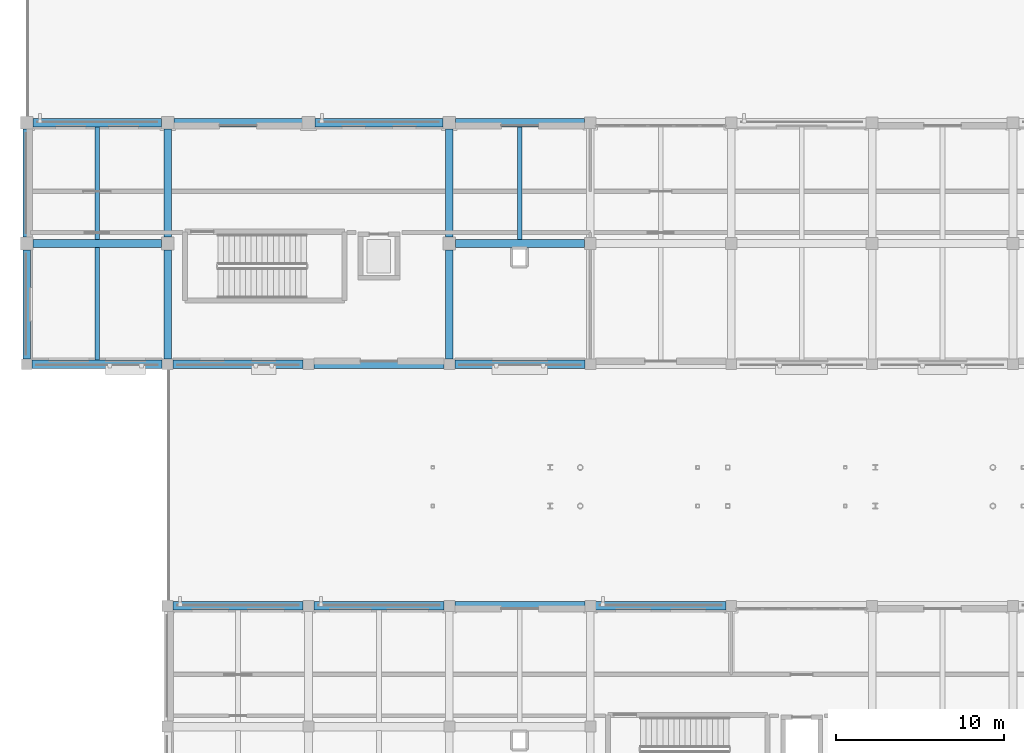
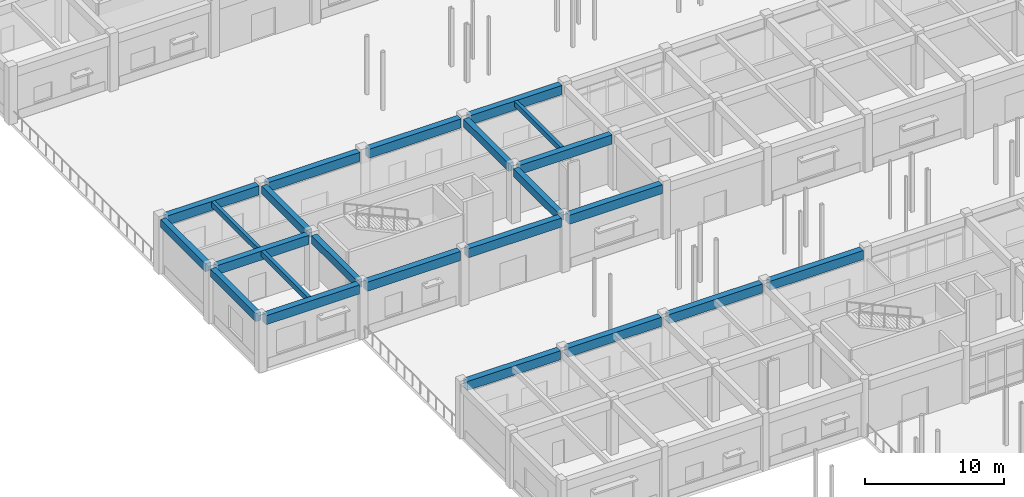
# One storey, part 44 of 121: 23 beams.
"""IFC4 building model written with IfcOpenShell, lengths in metres."""

import ifcopenshell
import ifcopenshell.guid

model = None  # the IFC model being written
_history = None  # IfcOwnerHistory: only IFC2X3 demands one
_inside = {}  # id of a spatial element -> (the spatial element, [elements in it])
_under = {}  # id of a project, library or spatial element -> (it, [spatial elements below it])
_declared = {}  # id of a project -> (the project, [libraries it declares])
_typed = {}  # id of a type object -> (the type object, [elements of that type])
_made_of = {}  # id of a material, layer set ... -> (it, [elements and type objects made of it])


def new_model(schema):
    """Start an empty IFC model of exactly this schema.

    Asked for "IFC4X3", IfcOpenShell would pick the latest addendum, in which some entities
    have other attributes; the version numbers below select the first issue.
    IFC2X3 requires an IfcOwnerHistory on every rooted entity: one is made here for all.
    """
    global model, _history
    if schema == "IFC4X3":
        model = ifcopenshell.file(schema_version=(4, 3, 0, 0))
    else:
        model = ifcopenshell.file(schema=schema)
    _inside.clear()
    _under.clear()
    _declared.clear()
    _typed.clear()
    _made_of.clear()
    _history = None
    if model.schema == "IFC2X3":
        org = make("IfcOrganization", Name="unknown")
        user = make(
            "IfcPersonAndOrganization",
            ThePerson=make("IfcPerson", FamilyName="unknown"),
            TheOrganization=org,
        )
        app = make(
            "IfcApplication",
            ApplicationDeveloper=org,
            Version="unknown",
            ApplicationFullName="unknown",
            ApplicationIdentifier="unknown",
        )
        _history = make(
            "IfcOwnerHistory",
            OwningUser=user,
            OwningApplication=app,
            ChangeAction="ADDED",
            CreationDate=0,
        )
    return model


def make(cls, **values):
    """One entity of the class cls with the attributes given. An attribute that is None is left unset."""
    return model.create_entity(
        cls, **{name: value for name, value in values.items() if value is not None}
    )


def rooted(cls, **values):
    """An entity with a GlobalId (a new one), such as an element, a storey or a relation."""
    return make(cls, GlobalId=ifcopenshell.guid.new(), OwnerHistory=_history, **values)


def si_unit(unit_type, name, prefix=None):
    """IfcSIUnit, for example si_unit("LENGTHUNIT", "METRE", prefix="MILLI")."""
    return make("IfcSIUnit", UnitType=unit_type, Prefix=prefix, Name=name)


def assignment(units):
    """IfcUnitAssignment: the units of a project."""
    return None if units is None else make("IfcUnitAssignment", Units=units)


def point(xyz):
    """IfcCartesianPoint."""
    return None if xyz is None else make("IfcCartesianPoint", Coordinates=xyz)


def direction(xyz):
    """IfcDirection."""
    return None if xyz is None else make("IfcDirection", DirectionRatios=xyz)


def frame(location, z_axis=None, x_axis=None):
    """IfcAxis2Placement3D, a coordinate frame: its origin and axes. An axis left out is left unset."""
    return make(
        "IfcAxis2Placement3D",
        Location=point(location),
        Axis=direction(z_axis),
        RefDirection=direction(x_axis),
    )


def frame_2d(location, x_axis=None):
    """IfcAxis2Placement2D, a coordinate frame in the plane: its origin and x axis."""
    return make(
        "IfcAxis2Placement2D", Location=point(location), RefDirection=direction(x_axis)
    )


def origin():
    """The frame at (0, 0, 0) with its axes left unset."""
    return frame((0.0, 0.0, 0.0))


def origin_2d():
    """The frame at (0, 0) in the plane with its x axis left unset."""
    return frame_2d((0.0, 0.0))


def place(relative_to, where):
    """IfcLocalPlacement: puts the frame where relative to a parent placement (None: the world)."""
    return make(
        "IfcLocalPlacement", PlacementRelTo=relative_to, RelativePlacement=where
    )


def context(
    kind, dimensions, precision=None, world=None, true_north=None, identifier=None
):
    """IfcGeometricRepresentationContext, for example the 3D "Model" context."""
    return make(
        "IfcGeometricRepresentationContext",
        ContextIdentifier=identifier,
        ContextType=kind,
        CoordinateSpaceDimension=dimensions,
        Precision=precision,
        WorldCoordinateSystem=world,
        TrueNorth=true_north,
    )


def subcontext(parent, identifier, kind, view, scale=None):
    """IfcGeometricRepresentationSubContext, for example "Body" below "Model"."""
    return make(
        "IfcGeometricRepresentationSubContext",
        ContextIdentifier=identifier,
        ContextType=kind,
        ParentContext=parent,
        TargetScale=scale,
        TargetView=view,
    )


def project(units=None, contexts=None):
    """IfcProject with its units and contexts."""
    return rooted(
        "IfcProject",
        Name="project",
        RepresentationContexts=contexts,
        UnitsInContext=assignment(units),
    )


def spatial(cls, under=None, at=None, **own):
    """A site, building, storey or space (cls), placed at a placement, below another one or the project."""
    s = rooted(cls, ObjectPlacement=at, **own)
    if under is not None:
        _under.setdefault(under.id(), (under, []))[1].append(s)
    return s


def profile(cls, at=None, kind="AREA", **sizes):
    """A parametric profile (cls). Its sizes go by their IFC names, for example OverallWidth=200.0."""
    return make(cls, ProfileType=kind, Position=at, **sizes)


def rectangle(**sizes):
    """IfcRectangleProfileDef."""
    return profile("IfcRectangleProfileDef", **sizes)


def extrude(swept, where, along, depth):
    """IfcExtrudedAreaSolid: the profile swept, set in the frame where, extruded along a direction by depth."""
    return make(
        "IfcExtrudedAreaSolid",
        SweptArea=swept,
        Position=where,
        ExtrudedDirection=direction(along),
        Depth=depth,
    )


def shape(context_of_items, identifier, shape_type, items):
    """IfcShapeRepresentation: the items that make up one representation, for example the "Body"."""
    return make(
        "IfcShapeRepresentation",
        ContextOfItems=context_of_items,
        RepresentationIdentifier=identifier,
        RepresentationType=shape_type,
        Items=items,
    )


def material(Name=None, Category=None):
    """IfcMaterial."""
    return make("IfcMaterial", Name=Name, Category=Category)


def material_profile(
    of_material, cross_section, Name=None, Category=None, Priority=None
):
    """IfcMaterialProfile: a cross section and its material."""
    return make(
        "IfcMaterialProfile",
        Name=Name,
        Material=of_material,
        Profile=cross_section,
        Priority=Priority,
        Category=Category,
    )


def profile_set(profiles, Name=None, composite=None):
    """IfcMaterialProfileSet."""
    return make(
        "IfcMaterialProfileSet",
        Name=Name,
        MaterialProfiles=profiles,
        CompositeProfile=composite,
    )


def made_of(thing, what):
    """Note that an element or type object is made of a material, layer set ...; save() writes the relation."""
    if what is not None:
        _made_of.setdefault(what.id(), (what, []))[1].append(thing)
    return thing


def type_object(cls, material=None, **own):
    """A type object (cls), such as IfcWallType, which elements share."""
    return made_of(rooted(cls, **own), material)


def element(
    cls,
    number,
    at=None,
    inside=None,
    cuts=None,
    type_object=None,
    material=None,
    context=None,
    identifier="Body",
    shape_type=None,
    held_by="IfcProductDefinitionShape",
    body=None,
    shapes=None,
    **own,
):
    """One element of the class cls, such as IfcWall. Its Tag is "e" and its number.

    at: its placement. inside: the storey or other place that contains it. cuts: it is an
    opening in that element (IfcRelVoidsElement). A single representation is given by context,
    identifier, shape_type and body (its items); several are given by shapes. held_by: the class
    of the entity that holds the representations. save() writes the other relations.
    """
    e = rooted(cls, Tag="e%d" % number, ObjectPlacement=at, **own)
    if body is not None:
        shapes = [shape(context, identifier, shape_type, body)]
    if shapes is not None:
        e.Representation = make(held_by, Representations=shapes)
    if inside is not None:
        _inside.setdefault(inside.id(), (inside, []))[1].append(e)
    if cuts is not None:
        rooted(
            "IfcRelVoidsElement", RelatingBuildingElement=cuts, RelatedOpeningElement=e
        )
    if type_object is not None:
        _typed.setdefault(type_object.id(), (type_object, []))[1].append(e)
    return made_of(e, material)


def aggregate(whole, parts):
    """IfcRelAggregates: a whole, such as a stair, and the parts it consists of."""
    return rooted("IfcRelAggregates", RelatingObject=whole, RelatedObjects=parts)


def save(model, path):
    """Write the relations noted so far, then the file.

    IfcRelAggregates (storeys below a building ...), IfcRelContainedInSpatialStructure (elements
    in a storey), IfcRelDefinesByType, IfcRelAssociatesMaterial and IfcRelDeclares: one each for
    every whole, place, type object, material and project.
    """
    for whole, parts in _under.values():
        aggregate(whole, parts)
    for where, things in _inside.values():
        rooted(
            "IfcRelContainedInSpatialStructure",
            RelatedElements=things,
            RelatingStructure=where,
        )
    for kind, things in _typed.values():
        rooted("IfcRelDefinesByType", RelatedObjects=things, RelatingType=kind)
    for what, things in _made_of.values():
        rooted("IfcRelAssociatesMaterial", RelatedObjects=things, RelatingMaterial=what)
    for by, libraries in _declared.values():
        rooted("IfcRelDeclares", RelatingContext=by, RelatedDefinitions=libraries)
    model.write(path)


model = new_model("IFC4")

# Units and contexts
model_context = context("Model", 3, precision=1e-05, world=origin(), true_north=direction((0.0, 1.0)))
body_context = subcontext(model_context, "Body", "Model", "MODEL_VIEW")
ifc_project = project(units=[si_unit("LENGTHUNIT", "METRE"), si_unit("AREAUNIT", "SQUARE_METRE"), si_unit("VOLUMEUNIT", "CUBIC_METRE"), si_unit("PLANEANGLEUNIT", "RADIAN"), si_unit("MASSUNIT", "GRAM", prefix="KILO")], contexts=[model_context])

# Site, building, storey
site_placement = place(None, origin())
site = spatial("IfcSite", under=ifc_project, at=site_placement, CompositionType="ELEMENT")
building_placement = place(site_placement, origin())
building = spatial("IfcBuilding", under=site, at=building_placement, Name="Malvenik Polytechnic", CompositionType="ELEMENT")
storey_placement = place(building_placement, origin())
storey = spatial("IfcBuildingStorey", under=building, at=storey_placement, Name="L00", CompositionType="ELEMENT", Elevation=0.0)

# Beams
ifc_material_1 = material(Name="Concrete C35/45", Category="concrete")
ifc_material_profile_1 = material_profile(ifc_material_1, rectangle(XDim=0.5, YDim=0.800048828125, at=origin_2d()), Name="RC BM 500x800")
ifc_profile_set_1 = profile_set([ifc_material_profile_1], Name="Concrete C35/45")
beam_type_1 = type_object("IfcBeamType", Name="STR-BM-B-02", PredefinedType="BEAM", material=ifc_profile_set_1)
beam_1_placement = place(storey_placement, frame((0.373046875, 86.39990234375, 4.419921875), z_axis=(1.0, 0.0, 0.0), x_axis=(0.0, 1.0, 0.0)))
element("IfcBeam", 1, at=beam_1_placement, inside=storey, type_object=beam_type_1, Name="Primary Beam B-02 L00 #628", PredefinedType="BEAM", context=body_context, shape_type="SweptSolid", body=[
    extrude(rectangle(XDim=0.5, YDim=0.800048828125, at=origin_2d()), origin(), (0.0, 0.0, 1.0), 7.654052734375),
])
beam_2_placement = place(storey_placement, frame((25.572998046875, 86.39990234375, 4.419921875), z_axis=(1.0, 0.0, 0.0), x_axis=(0.0, 1.0, 0.0)))
element("IfcBeam", 2, at=beam_2_placement, inside=storey, type_object=beam_type_1, Name="Primary Beam B-02 L00 #629", PredefinedType="BEAM", context=body_context, shape_type="SweptSolid", body=[
    extrude(rectangle(XDim=0.5, YDim=0.800048828125, at=origin_2d()), origin(), (0.0, 0.0, 1.0), 7.678955078125),
])
ifc_material_profile_2 = material_profile(ifc_material_1, rectangle(XDim=0.449951171875, YDim=0.699951171875, at=origin_2d()), Name="RC BM 450x700")
ifc_profile_set_2 = profile_set([ifc_material_profile_2], Name="Concrete C35/45")
beam_type_2 = type_object("IfcBeamType", Name="STR-BM-B-04", PredefinedType="BEAM", material=ifc_profile_set_2)
beam_3_placement = place(storey_placement, frame((0.0, 79.52294921875, 4.469970703125), z_axis=(0.0, 1.0, 0.0), x_axis=(-1.0, 0.0, 0.0)))
element("IfcBeam", 3, at=beam_3_placement, inside=storey, type_object=beam_type_2, Name="Transverse Beam B-04 L00 #714", PredefinedType="BEAM", context=body_context, shape_type="SweptSolid", body=[
    extrude(rectangle(XDim=0.449951171875, YDim=0.699951171875, at=origin_2d()), origin(), (0.0, 0.0, 1.0), 6.504150390625),
])
beam_4_placement = place(storey_placement, frame((0.0, 86.77294921875, 4.469970703125), z_axis=(0.0, 1.0, 0.0), x_axis=(-1.0, 0.0, 0.0)))
element("IfcBeam", 4, at=beam_4_placement, inside=storey, type_object=beam_type_2, Name="Transverse Beam B-04 L00 #715", PredefinedType="BEAM", context=body_context, shape_type="SweptSolid", body=[
    extrude(rectangle(XDim=0.449951171875, YDim=0.699951171875, at=origin_2d()), origin(), (0.0, 0.0, 1.0), 6.4541015625),
])
beam_5_placement = place(storey_placement, frame((8.39990234375, 79.52294921875, 4.469970703125), z_axis=(0.0, 1.0, 0.0), x_axis=(-1.0, 0.0, 0.0)))
element("IfcBeam", 5, at=beam_5_placement, inside=storey, type_object=beam_type_2, Name="Transverse Beam B-04 L00 #720", PredefinedType="BEAM", context=body_context, shape_type="SweptSolid", body=[
    extrude(rectangle(XDim=0.449951171875, YDim=0.699951171875, at=origin_2d()), origin(), (0.0, 0.0, 1.0), 6.504150390625),
])
beam_6_placement = place(storey_placement, frame((8.39990234375, 86.77294921875, 4.469970703125), z_axis=(0.0, 1.0, 0.0), x_axis=(-1.0, 0.0, 0.0)))
element("IfcBeam", 6, at=beam_6_placement, inside=storey, type_object=beam_type_2, Name="Transverse Beam B-04 L00 #721", PredefinedType="BEAM", context=body_context, shape_type="SweptSolid", body=[
    extrude(rectangle(XDim=0.449951171875, YDim=0.699951171875, at=origin_2d()), origin(), (0.0, 0.0, 1.0), 6.4541015625),
])
beam_7_placement = place(storey_placement, frame((25.199951171875, 79.52294921875, 4.469970703125), z_axis=(0.0, 1.0, 0.0), x_axis=(-1.0, 0.0, 0.0)))
element("IfcBeam", 7, at=beam_7_placement, inside=storey, type_object=beam_type_2, Name="Transverse Beam B-04 L00 #728", PredefinedType="BEAM", context=body_context, shape_type="SweptSolid", body=[
    extrude(rectangle(XDim=0.449951171875, YDim=0.699951171875, at=origin_2d()), origin(), (0.0, 0.0, 1.0), 6.504150390625),
])
beam_8_placement = place(storey_placement, frame((25.199951171875, 86.77294921875, 4.469970703125), z_axis=(0.0, 1.0, 0.0), x_axis=(-1.0, 0.0, 0.0)))
element("IfcBeam", 8, at=beam_8_placement, inside=storey, type_object=beam_type_2, Name="Transverse Beam B-04 L00 #729", PredefinedType="BEAM", context=body_context, shape_type="SweptSolid", body=[
    extrude(rectangle(XDim=0.449951171875, YDim=0.699951171875, at=origin_2d()), origin(), (0.0, 0.0, 1.0), 6.4541015625),
])
ifc_material_2 = material(Name="Concrete C30/37", Category="concrete")
ifc_material_profile_3 = material_profile(ifc_material_2, rectangle(XDim=0.280029296875, YDim=0.47998046875, at=origin_2d()), Name="RC JST 280x480")
ifc_profile_set_3 = profile_set([ifc_material_profile_3], Name="Concrete C30/37")
beam_type_3 = type_object("IfcBeamType", Name="STR-BM-J-01", PredefinedType="JOIST", material=ifc_profile_set_3)
for number, where, z_axis, x_axis, name in (
    (9, (4.199951171875, 79.4580078125, 4.580078125), (0.0, 1.0, 0.0), (-1.0, 0.0, 0.0), "Secondary Rib Joist J-01 L00 #865"),
    (10, (4.199951171875, 86.64794921875, 4.580078125), (0.0, 1.0, 0.0), (-1.0, 0.0, 0.0), "Secondary Rib Joist J-01 L00 #866"),
    (11, (29.39990234375, 86.64794921875, 4.580078125), (0.0, 1.0, 0.0), (-1.0, 0.0, 0.0), "Secondary Rib Joist J-01 L00 #874"),
):
    element("IfcBeam", number, at=place(storey_placement, frame(where, z_axis=z_axis, x_axis=x_axis)), inside=storey, type_object=beam_type_3, Name=name, PredefinedType="JOIST", context=body_context, shape_type="SweptSolid", body=[
        extrude(rectangle(XDim=0.280029296875, YDim=0.47998046875, at=origin_2d()), origin(), (0.0, 0.0, 1.0), 6.694091796875),
    ])
ifc_material_3 = material(Name="Precast concrete C40/50", Category="concrete")
ifc_material_profile_4 = material_profile(ifc_material_3, rectangle(XDim=0.52001953125, YDim=0.800048828125, at=origin_2d()), Name="PC SPN 520x800")
ifc_profile_set_4 = profile_set([ifc_material_profile_4], Name="Precast concrete C40/50")
beam_type_4 = type_object("IfcBeamType", Name="STR-BM-SP-01", PredefinedType="SPANDREL", material=ifc_profile_set_4)
beam_9_placement = place(storey_placement, frame((8.722900390625, 64.800048828125, 4.419921875), z_axis=(1.0, 0.0, 0.0), x_axis=(0.0, 1.0, 0.0)))
element("IfcBeam", 12, at=beam_9_placement, inside=storey, type_object=beam_type_4, Name="Primary Beam SP-01 L00 #596", PredefinedType="SPANDREL", context=body_context, shape_type="SweptSolid", body=[
    extrude(rectangle(XDim=0.52001953125, YDim=0.800048828125, at=origin_2d()), origin(), (0.0, 0.0, 1.0), 7.754150390625),
])
beam_10_placement = place(storey_placement, frame((17.123046875, 64.800048828125, 4.419921875), z_axis=(1.0, 0.0, 0.0), x_axis=(0.0, 1.0, 0.0)))
element("IfcBeam", 13, at=beam_10_placement, inside=storey, type_object=beam_type_4, Name="Primary Beam SP-01 L00 #597", PredefinedType="SPANDREL", context=body_context, shape_type="SweptSolid", body=[
    extrude(rectangle(XDim=0.52001953125, YDim=0.800048828125, at=origin_2d()), origin(), (0.0, 0.0, 1.0), 7.75390625),
])
beam_11_placement = place(storey_placement, frame((25.52294921875, 64.800048828125, 4.419921875), z_axis=(1.0, 0.0, 0.0), x_axis=(0.0, 1.0, 0.0)))
element("IfcBeam", 14, at=beam_11_placement, inside=storey, type_object=beam_type_4, Name="Primary Beam SP-01 L00 #598", PredefinedType="SPANDREL", context=body_context, shape_type="SweptSolid", body=[
    extrude(rectangle(XDim=0.52001953125, YDim=0.800048828125, at=origin_2d()), origin(), (0.0, 0.0, 1.0), 7.754150390625),
])
for number, where, z_axis, x_axis, name in (
    (15, (33.923095703125, 64.800048828125, 4.419921875), (1.0, 0.0, 0.0), (0.0, 1.0, 0.0), "Primary Beam SP-01 L00 #599"),
    (16, (0.322998046875, 79.199951171875, 4.419921875), (1.0, 0.0, 0.0), (0.0, 1.0, 0.0), "Primary Beam SP-01 L00 #612"),
):
    element("IfcBeam", number, at=place(storey_placement, frame(where, z_axis=z_axis, x_axis=x_axis)), inside=storey, type_object=beam_type_4, Name=name, PredefinedType="SPANDREL", context=body_context, shape_type="SweptSolid", body=[
        extrude(rectangle(XDim=0.52001953125, YDim=0.800048828125, at=origin_2d()), origin(), (0.0, 0.0, 1.0), 7.75390625),
    ])
beam_12_placement = place(storey_placement, frame((8.722900390625, 79.199951171875, 4.419921875), z_axis=(1.0, 0.0, 0.0), x_axis=(0.0, 1.0, 0.0)))
element("IfcBeam", 17, at=beam_12_placement, inside=storey, type_object=beam_type_4, Name="Primary Beam SP-01 L00 #613", PredefinedType="SPANDREL", context=body_context, shape_type="SweptSolid", body=[
    extrude(rectangle(XDim=0.52001953125, YDim=0.800048828125, at=origin_2d()), origin(), (0.0, 0.0, 1.0), 7.754150390625),
])
beam_13_placement = place(storey_placement, frame((17.123046875, 79.199951171875, 4.419921875), z_axis=(1.0, 0.0, 0.0), x_axis=(0.0, 1.0, 0.0)))
element("IfcBeam", 18, at=beam_13_placement, inside=storey, type_object=beam_type_4, Name="Primary Beam SP-01 L00 #614", PredefinedType="SPANDREL", context=body_context, shape_type="SweptSolid", body=[
    extrude(rectangle(XDim=0.52001953125, YDim=0.800048828125, at=origin_2d()), origin(), (0.0, 0.0, 1.0), 7.75390625),
])
beam_14_placement = place(storey_placement, frame((25.52294921875, 79.199951171875, 4.419921875), z_axis=(1.0, 0.0, 0.0), x_axis=(0.0, 1.0, 0.0)))
element("IfcBeam", 19, at=beam_14_placement, inside=storey, type_object=beam_type_4, Name="Primary Beam SP-01 L00 #615", PredefinedType="SPANDREL", context=body_context, shape_type="SweptSolid", body=[
    extrude(rectangle(XDim=0.52001953125, YDim=0.800048828125, at=origin_2d()), origin(), (0.0, 0.0, 1.0), 7.754150390625),
])
for number, where, z_axis, x_axis, name in (
    (20, (0.373046875, 93.60009765625, 4.419921875), (1.0, 0.0, 0.0), (0.0, 1.0, 0.0), "Primary Beam SP-01 L00 #640"),
    (21, (8.77294921875, 93.60009765625, 4.419921875), (1.0, 0.0, 0.0), (0.0, 1.0, 0.0), "Primary Beam SP-01 L00 #641"),
):
    element("IfcBeam", number, at=place(storey_placement, frame(where, z_axis=z_axis, x_axis=x_axis)), inside=storey, type_object=beam_type_4, Name=name, PredefinedType="SPANDREL", context=body_context, shape_type="SweptSolid", body=[
        extrude(rectangle(XDim=0.52001953125, YDim=0.800048828125, at=origin_2d()), origin(), (0.0, 0.0, 1.0), 7.654052734375),
    ])
beam_15_placement = place(storey_placement, frame((17.173095703125, 93.60009765625, 4.419921875), z_axis=(1.0, 0.0, 0.0), x_axis=(0.0, 1.0, 0.0)))
element("IfcBeam", 22, at=beam_15_placement, inside=storey, type_object=beam_type_4, Name="Primary Beam SP-01 L00 #642", PredefinedType="SPANDREL", context=body_context, shape_type="SweptSolid", body=[
    extrude(rectangle(XDim=0.52001953125, YDim=0.800048828125, at=origin_2d()), origin(), (0.0, 0.0, 1.0), 7.65380859375),
])
beam_16_placement = place(storey_placement, frame((25.572998046875, 93.60009765625, 4.419921875), z_axis=(1.0, 0.0, 0.0), x_axis=(0.0, 1.0, 0.0)))
element("IfcBeam", 23, at=beam_16_placement, inside=storey, type_object=beam_type_4, Name="Primary Beam SP-01 L00 #643", PredefinedType="SPANDREL", context=body_context, shape_type="SweptSolid", body=[
    extrude(rectangle(XDim=0.52001953125, YDim=0.800048828125, at=origin_2d()), origin(), (0.0, 0.0, 1.0), 7.678955078125),
])

save(model, "model.ifc")
